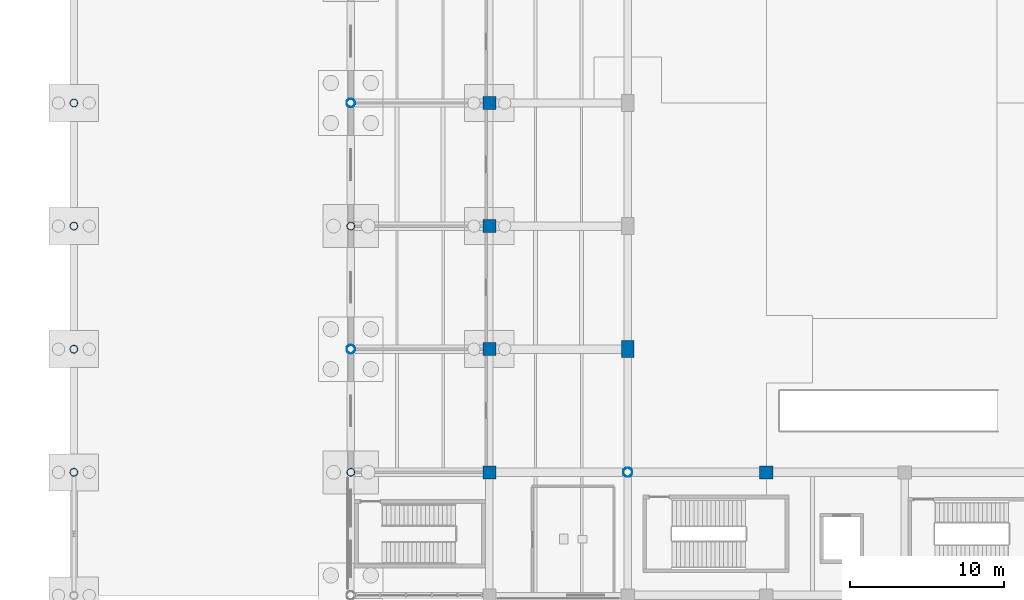
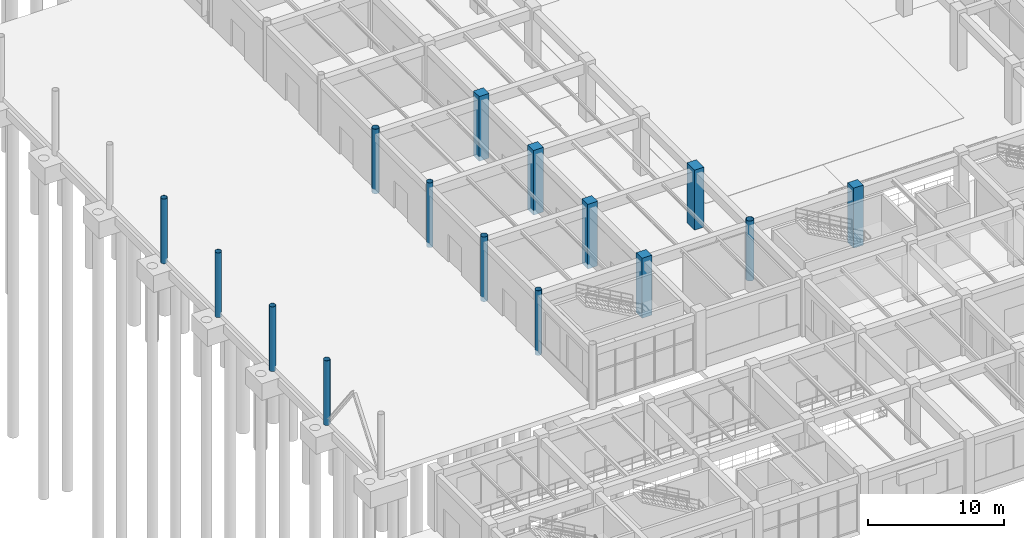
# One storey, part 8 of 121: 15 columns.
"""IFC4 building model written with IfcOpenShell, lengths in metres."""

import ifcopenshell
import ifcopenshell.guid

model = None  # the IFC model being written
_history = None  # IfcOwnerHistory: only IFC2X3 demands one
_inside = {}  # id of a spatial element -> (the spatial element, [elements in it])
_under = {}  # id of a project, library or spatial element -> (it, [spatial elements below it])
_declared = {}  # id of a project -> (the project, [libraries it declares])
_typed = {}  # id of a type object -> (the type object, [elements of that type])
_made_of = {}  # id of a material, layer set ... -> (it, [elements and type objects made of it])


def new_model(schema):
    """Start an empty IFC model of exactly this schema.

    Asked for "IFC4X3", IfcOpenShell would pick the latest addendum, in which some entities
    have other attributes; the version numbers below select the first issue.
    IFC2X3 requires an IfcOwnerHistory on every rooted entity: one is made here for all.
    """
    global model, _history
    if schema == "IFC4X3":
        model = ifcopenshell.file(schema_version=(4, 3, 0, 0))
    else:
        model = ifcopenshell.file(schema=schema)
    _inside.clear()
    _under.clear()
    _declared.clear()
    _typed.clear()
    _made_of.clear()
    _history = None
    if model.schema == "IFC2X3":
        org = make("IfcOrganization", Name="unknown")
        user = make(
            "IfcPersonAndOrganization",
            ThePerson=make("IfcPerson", FamilyName="unknown"),
            TheOrganization=org,
        )
        app = make(
            "IfcApplication",
            ApplicationDeveloper=org,
            Version="unknown",
            ApplicationFullName="unknown",
            ApplicationIdentifier="unknown",
        )
        _history = make(
            "IfcOwnerHistory",
            OwningUser=user,
            OwningApplication=app,
            ChangeAction="ADDED",
            CreationDate=0,
        )
    return model


def make(cls, **values):
    """One entity of the class cls with the attributes given. An attribute that is None is left unset."""
    return model.create_entity(
        cls, **{name: value for name, value in values.items() if value is not None}
    )


def rooted(cls, **values):
    """An entity with a GlobalId (a new one), such as an element, a storey or a relation."""
    return make(cls, GlobalId=ifcopenshell.guid.new(), OwnerHistory=_history, **values)


def si_unit(unit_type, name, prefix=None):
    """IfcSIUnit, for example si_unit("LENGTHUNIT", "METRE", prefix="MILLI")."""
    return make("IfcSIUnit", UnitType=unit_type, Prefix=prefix, Name=name)


def derived_unit(unit_type, elements):
    """IfcDerivedUnit: a product of units, each with its exponent."""
    return make(
        "IfcDerivedUnit",
        Elements=[
            make("IfcDerivedUnitElement", Unit=unit, Exponent=power)
            for unit, power in elements
        ],
        UnitType=unit_type,
    )


def assignment(units):
    """IfcUnitAssignment: the units of a project."""
    return None if units is None else make("IfcUnitAssignment", Units=units)


def point(xyz):
    """IfcCartesianPoint."""
    return None if xyz is None else make("IfcCartesianPoint", Coordinates=xyz)


def direction(xyz):
    """IfcDirection."""
    return None if xyz is None else make("IfcDirection", DirectionRatios=xyz)


def frame(location, z_axis=None, x_axis=None):
    """IfcAxis2Placement3D, a coordinate frame: its origin and axes. An axis left out is left unset."""
    return make(
        "IfcAxis2Placement3D",
        Location=point(location),
        Axis=direction(z_axis),
        RefDirection=direction(x_axis),
    )


def frame_2d(location, x_axis=None):
    """IfcAxis2Placement2D, a coordinate frame in the plane: its origin and x axis."""
    return make(
        "IfcAxis2Placement2D", Location=point(location), RefDirection=direction(x_axis)
    )


def origin():
    """The frame at (0, 0, 0) with its axes left unset."""
    return frame((0.0, 0.0, 0.0))


def origin_2d():
    """The frame at (0, 0) in the plane with its x axis left unset."""
    return frame_2d((0.0, 0.0))


def place(relative_to, where):
    """IfcLocalPlacement: puts the frame where relative to a parent placement (None: the world)."""
    return make(
        "IfcLocalPlacement", PlacementRelTo=relative_to, RelativePlacement=where
    )


def context(
    kind, dimensions, precision=None, world=None, true_north=None, identifier=None
):
    """IfcGeometricRepresentationContext, for example the 3D "Model" context."""
    return make(
        "IfcGeometricRepresentationContext",
        ContextIdentifier=identifier,
        ContextType=kind,
        CoordinateSpaceDimension=dimensions,
        Precision=precision,
        WorldCoordinateSystem=world,
        TrueNorth=true_north,
    )


def subcontext(parent, identifier, kind, view, scale=None):
    """IfcGeometricRepresentationSubContext, for example "Body" below "Model"."""
    return make(
        "IfcGeometricRepresentationSubContext",
        ContextIdentifier=identifier,
        ContextType=kind,
        ParentContext=parent,
        TargetScale=scale,
        TargetView=view,
    )


def project(units=None, contexts=None):
    """IfcProject with its units and contexts."""
    return rooted(
        "IfcProject",
        Name="project",
        RepresentationContexts=contexts,
        UnitsInContext=assignment(units),
    )


def spatial(cls, under=None, at=None, **own):
    """A site, building, storey or space (cls), placed at a placement, below another one or the project."""
    s = rooted(cls, ObjectPlacement=at, **own)
    if under is not None:
        _under.setdefault(under.id(), (under, []))[1].append(s)
    return s


def profile(cls, at=None, kind="AREA", **sizes):
    """A parametric profile (cls). Its sizes go by their IFC names, for example OverallWidth=200.0."""
    return make(cls, ProfileType=kind, Position=at, **sizes)


def rectangle(**sizes):
    """IfcRectangleProfileDef."""
    return profile("IfcRectangleProfileDef", **sizes)


def hollow_circle(**sizes):
    """IfcCircleHollowProfileDef."""
    return profile("IfcCircleHollowProfileDef", **sizes)


def extrude(swept, where, along, depth):
    """IfcExtrudedAreaSolid: the profile swept, set in the frame where, extruded along a direction by depth."""
    return make(
        "IfcExtrudedAreaSolid",
        SweptArea=swept,
        Position=where,
        ExtrudedDirection=direction(along),
        Depth=depth,
    )


def shape(context_of_items, identifier, shape_type, items):
    """IfcShapeRepresentation: the items that make up one representation, for example the "Body"."""
    return make(
        "IfcShapeRepresentation",
        ContextOfItems=context_of_items,
        RepresentationIdentifier=identifier,
        RepresentationType=shape_type,
        Items=items,
    )


def material(Name=None, Category=None):
    """IfcMaterial."""
    return make("IfcMaterial", Name=Name, Category=Category)


def material_profile(
    of_material, cross_section, Name=None, Category=None, Priority=None
):
    """IfcMaterialProfile: a cross section and its material."""
    return make(
        "IfcMaterialProfile",
        Name=Name,
        Material=of_material,
        Profile=cross_section,
        Priority=Priority,
        Category=Category,
    )


def profile_set(profiles, Name=None, composite=None):
    """IfcMaterialProfileSet."""
    return make(
        "IfcMaterialProfileSet",
        Name=Name,
        MaterialProfiles=profiles,
        CompositeProfile=composite,
    )


def made_of(thing, what):
    """Note that an element or type object is made of a material, layer set ...; save() writes the relation."""
    if what is not None:
        _made_of.setdefault(what.id(), (what, []))[1].append(thing)
    return thing


def type_object(cls, material=None, **own):
    """A type object (cls), such as IfcWallType, which elements share."""
    return made_of(rooted(cls, **own), material)


def element(
    cls,
    number,
    at=None,
    inside=None,
    cuts=None,
    type_object=None,
    material=None,
    context=None,
    identifier="Body",
    shape_type=None,
    held_by="IfcProductDefinitionShape",
    body=None,
    shapes=None,
    **own,
):
    """One element of the class cls, such as IfcWall. Its Tag is "e" and its number.

    at: its placement. inside: the storey or other place that contains it. cuts: it is an
    opening in that element (IfcRelVoidsElement). A single representation is given by context,
    identifier, shape_type and body (its items); several are given by shapes. held_by: the class
    of the entity that holds the representations. save() writes the other relations.
    """
    e = rooted(cls, Tag="e%d" % number, ObjectPlacement=at, **own)
    if body is not None:
        shapes = [shape(context, identifier, shape_type, body)]
    if shapes is not None:
        e.Representation = make(held_by, Representations=shapes)
    if inside is not None:
        _inside.setdefault(inside.id(), (inside, []))[1].append(e)
    if cuts is not None:
        rooted(
            "IfcRelVoidsElement", RelatingBuildingElement=cuts, RelatedOpeningElement=e
        )
    if type_object is not None:
        _typed.setdefault(type_object.id(), (type_object, []))[1].append(e)
    return made_of(e, material)


def aggregate(whole, parts):
    """IfcRelAggregates: a whole, such as a stair, and the parts it consists of."""
    return rooted("IfcRelAggregates", RelatingObject=whole, RelatedObjects=parts)


def save(model, path):
    """Write the relations noted so far, then the file.

    IfcRelAggregates (storeys below a building ...), IfcRelContainedInSpatialStructure (elements
    in a storey), IfcRelDefinesByType, IfcRelAssociatesMaterial and IfcRelDeclares: one each for
    every whole, place, type object, material and project.
    """
    for whole, parts in _under.values():
        aggregate(whole, parts)
    for where, things in _inside.values():
        rooted(
            "IfcRelContainedInSpatialStructure",
            RelatedElements=things,
            RelatingStructure=where,
        )
    for kind, things in _typed.values():
        rooted("IfcRelDefinesByType", RelatedObjects=things, RelatingType=kind)
    for what, things in _made_of.values():
        rooted("IfcRelAssociatesMaterial", RelatedObjects=things, RelatingMaterial=what)
    for by, libraries in _declared.values():
        rooted("IfcRelDeclares", RelatingContext=by, RelatedDefinitions=libraries)
    model.write(path)


model = new_model("IFC4")

# Units and contexts
model_context = context("Model", 3, precision=1e-05, world=origin(), true_north=direction((0.0, 1.0)))
body_context = subcontext(model_context, "Body", "Model", "MODEL_VIEW")
ifc_project = project(units=[si_unit("LENGTHUNIT", "METRE"), si_unit("AREAUNIT", "SQUARE_METRE"), si_unit("VOLUMEUNIT", "CUBIC_METRE"), si_unit("PLANEANGLEUNIT", "RADIAN"), si_unit("MASSUNIT", "GRAM", prefix="KILO"), derived_unit("THERMALTRANSMITTANCEUNIT", [(si_unit("MASSUNIT", "GRAM", prefix="KILO"), 1), (si_unit("TIMEUNIT", "SECOND"), -3), (si_unit("THERMODYNAMICTEMPERATUREUNIT", "KELVIN"), -1)])], contexts=[model_context])

# Site, building, storey
site_placement = place(None, origin())
site = spatial("IfcSite", under=ifc_project, at=site_placement, CompositionType="ELEMENT")
building_placement = place(site_placement, origin())
building = spatial("IfcBuilding", under=site, at=building_placement, Name="Zhenchuan Archway Interchange", CompositionType="ELEMENT")
storey_placement = place(building_placement, origin())
storey = spatial("IfcBuildingStorey", under=building, at=storey_placement, Name="L00", CompositionType="ELEMENT", Elevation=0.0)

# Columns
ifc_material_1 = material(Name="Concrete C50", Category="concrete")
ifc_material_profile_1 = material_profile(ifc_material_1, rectangle(XDim=0.800048828125, YDim=1.10009765625, at=origin_2d()), Name="RC 800x1100")
ifc_profile_set_1 = profile_set([ifc_material_profile_1], Name="Concrete C50")
column_type_1 = type_object("IfcColumnType", Name="COL_RC_800x1100", PredefinedType="COLUMN", material=ifc_profile_set_1)
column_1_placement = place(storey_placement, frame((36.0, 40.0, 0.0), z_axis=(0.0, 0.0, 1.0), x_axis=(1.0, 0.0, 0.0)))
element("IfcColumn", 1, at=column_1_placement, inside=storey, type_object=column_type_1, Name="Column 5/F (L00)", PredefinedType="COLUMN", context=body_context, shape_type="SweptSolid", body=[
    extrude(rectangle(XDim=0.800048828125, YDim=1.10009765625, at=origin_2d()), origin(), (0.0, 0.0, 1.0), 5.39990234375),
])
ifc_material_2 = material(Name="Concrete C40", Category="concrete")
ifc_material_profile_2 = material_profile(ifc_material_2, rectangle(XDim=0.85009765625, YDim=0.85009765625, at=origin_2d()), Name="RC 850x850")
ifc_profile_set_2 = profile_set([ifc_material_profile_2], Name="Concrete C40")
column_type_2 = type_object("IfcColumnType", Name="COL_RC_850", PredefinedType="COLUMN", material=ifc_profile_set_2)
column_2_placement = place(storey_placement, frame((27.0, 32.0, 0.0), z_axis=(0.0, 0.0, 1.0), x_axis=(1.0, 0.0, 0.0)))
element("IfcColumn", 2, at=column_2_placement, inside=storey, type_object=column_type_2, Name="Column 4/E (L00)", PredefinedType="COLUMN", context=body_context, shape_type="SweptSolid", body=[
    extrude(rectangle(XDim=0.85009765625, YDim=0.85009765625, at=origin_2d()), origin(), (0.0, 0.0, 1.0), 5.39990234375),
])
for number, where, z_axis, x_axis, name in (
    (3, (27.0, 40.0, -0.419921875), (0.0, 0.0, 1.0), (1.0, 0.0, 0.0), "Column 4/F (L00)"),
    (4, (27.0, 48.0, -0.419921875), (0.0, 0.0, 1.0), (1.0, 0.0, 0.0), "Column 4/G (L00)"),
    (5, (27.0, 56.0, -0.419921875), (0.0, 0.0, 1.0), (1.0, 0.0, 0.0), "Column 4/H (L00)"),
):
    element("IfcColumn", number, at=place(storey_placement, frame(where, z_axis=z_axis, x_axis=x_axis)), inside=storey, type_object=column_type_2, Name=name, PredefinedType="COLUMN", context=body_context, shape_type="SweptSolid", body=[
        extrude(rectangle(XDim=0.85009765625, YDim=0.85009765625, at=origin_2d()), origin(), (0.0, 0.0, 1.0), 5.81982421875),
    ])
column_3_placement = place(storey_placement, frame((45.0, 32.0, 0.0), z_axis=(0.0, 0.0, 1.0), x_axis=(1.0, 0.0, 0.0)))
element("IfcColumn", 6, at=column_3_placement, inside=storey, type_object=column_type_2, Name="Column 6/E (L00)", PredefinedType="COLUMN", context=body_context, shape_type="SweptSolid", body=[
    extrude(rectangle(XDim=0.85009765625, YDim=0.85009765625, at=origin_2d()), origin(), (0.0, 0.0, 1.0), 5.39990234375),
])
ifc_material_3 = material(Name="Steel Q390", Category="steel")
ifc_material_profile_3 = material_profile(ifc_material_3, hollow_circle(Radius=0.25390625, WallThickness=0.01611328125, at=origin_2d()), Name="CHS 508x16")
ifc_profile_set_3 = profile_set([ifc_material_profile_3], Name="Steel Q390")
column_type_3 = type_object("IfcColumnType", Name="COL_STL_CHS508", PredefinedType="COLUMN", material=ifc_profile_set_3)
for number, where, z_axis, x_axis, name in (
    (7, (0.0, 32.0, -0.419921875), (0.0, 0.0, 1.0), (1.0, 0.0, 0.0), "Column 1/E (L00)"),
    (8, (0.0, 40.0, -0.419921875), (0.0, 0.0, 1.0), (1.0, 0.0, 0.0), "Column 1/F (L00)"),
    (9, (0.0, 48.0, -0.419921875), (0.0, 0.0, 1.0), (1.0, 0.0, 0.0), "Column 1/G (L00)"),
    (10, (0.0, 56.0, -0.419921875), (0.0, 0.0, 1.0), (1.0, 0.0, 0.0), "Column 1/H (L00)"),
    (11, (18.0, 32.0, -0.419921875), (0.0, 0.0, 1.0), (1.0, 0.0, 0.0), "Column 3/E (L00)"),
    (12, (18.0, 48.0, -0.419921875), (0.0, 0.0, 1.0), (1.0, 0.0, 0.0), "Column 3/G (L00)"),
):
    element("IfcColumn", number, at=place(storey_placement, frame(where, z_axis=z_axis, x_axis=x_axis)), inside=storey, type_object=column_type_3, Name=name, PredefinedType="COLUMN", context=body_context, shape_type="SweptSolid", body=[
        extrude(hollow_circle(Radius=0.25390625, WallThickness=0.01611328125, at=origin_2d()), origin(), (0.0, 0.0, 1.0), 5.81982421875),
    ])
ifc_material_profile_4 = material_profile(ifc_material_3, hollow_circle(Radius=0.279541015625, WallThickness=0.01806640625, at=origin_2d()), Name="CHS 559x18")
ifc_profile_set_4 = profile_set([ifc_material_profile_4], Name="Steel Q390")
column_type_4 = type_object("IfcColumnType", Name="COL_STL_CHS559", PredefinedType="COLUMN", material=ifc_profile_set_4)
for number, where, z_axis, x_axis, name in (
    (13, (18.0, 40.0, -0.419921875), (0.0, 0.0, 1.0), (1.0, 0.0, 0.0), "Column 3/F (L00)"),
    (14, (18.0, 56.0, -0.419921875), (0.0, 0.0, 1.0), (1.0, 0.0, 0.0), "Column 3/H (L00)"),
):
    element("IfcColumn", number, at=place(storey_placement, frame(where, z_axis=z_axis, x_axis=x_axis)), inside=storey, type_object=column_type_4, Name=name, PredefinedType="COLUMN", context=body_context, shape_type="SweptSolid", body=[
        extrude(hollow_circle(Radius=0.279541015625, WallThickness=0.01806640625, at=origin_2d()), origin(), (0.0, 0.0, 1.0), 5.81982421875),
    ])
ifc_material_profile_5 = material_profile(ifc_material_3, hollow_circle(Radius=0.304931640625, WallThickness=0.02001953125, at=origin_2d()), Name="CHS 610x20")
ifc_profile_set_5 = profile_set([ifc_material_profile_5], Name="Steel Q390")
column_type_5 = type_object("IfcColumnType", Name="COL_STL_CHS610", PredefinedType="COLUMN", material=ifc_profile_set_5)
column_4_placement = place(storey_placement, frame((36.0, 32.0, 0.0), z_axis=(0.0, 0.0, 1.0), x_axis=(1.0, 0.0, 0.0)))
element("IfcColumn", 15, at=column_4_placement, inside=storey, type_object=column_type_5, Name="Column 5/E (L00)", PredefinedType="COLUMN", context=body_context, shape_type="SweptSolid", body=[
    extrude(hollow_circle(Radius=0.304931640625, WallThickness=0.02001953125, at=origin_2d()), origin(), (0.0, 0.0, 1.0), 5.39990234375),
])

save(model, "model.ifc")
